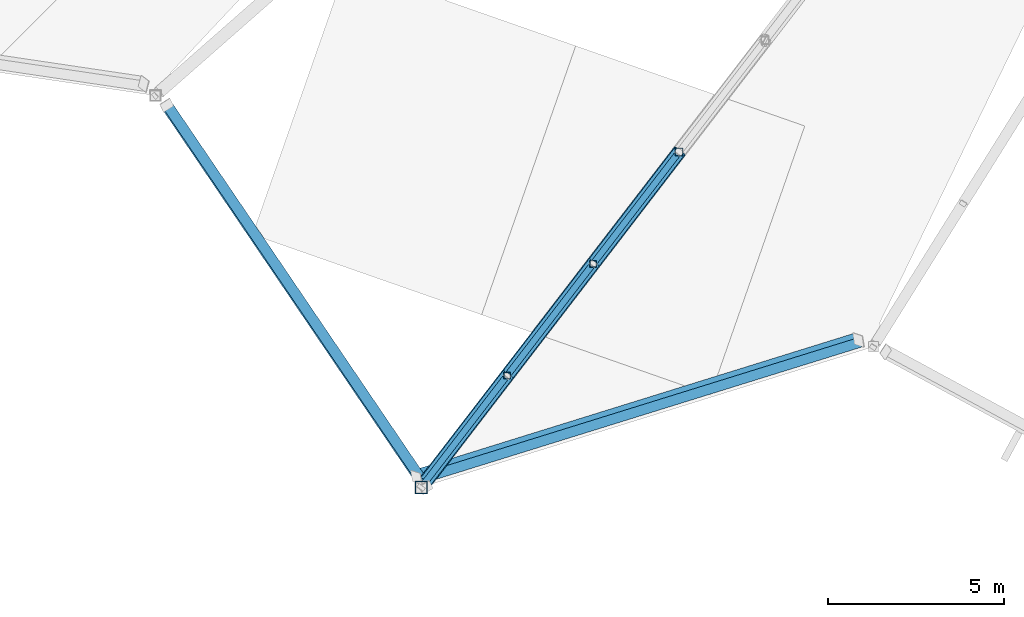
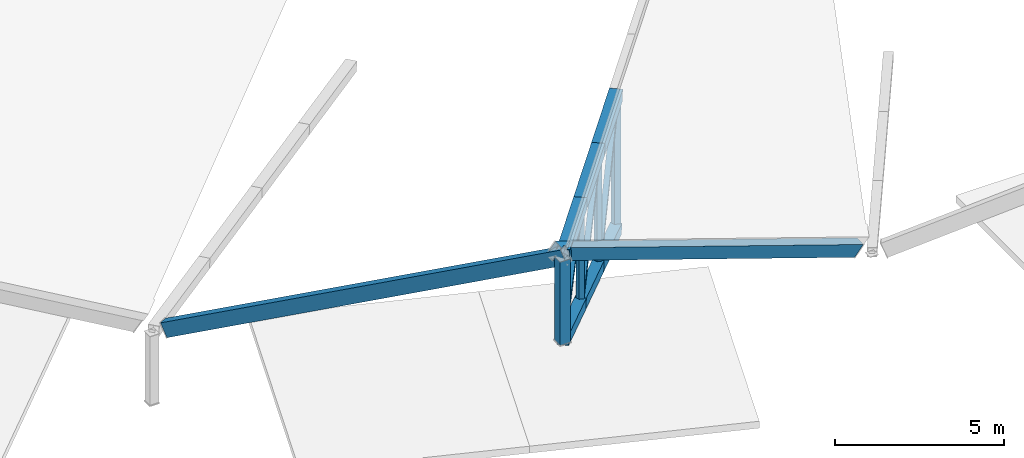
# One storey, part 4 of 188: 13 members, 2 beams.
"""IFC4 building model written with IfcOpenShell, lengths in metres."""

from ifc_helpers import new_model, si_unit, direction, frame, origin, origin_2d, place, context, subcontext, project, spatial, hollow_rectangle, extrude, material, material_profile, profile_set, type_object, element, save


model = new_model("IFC4")

# Units and contexts
model_context = context("Model", 3, precision=1e-05, world=origin(), true_north=direction((0.0, 1.0)))
body_context = subcontext(model_context, "Body", "Model", "MODEL_VIEW")
ifc_project = project(units=[si_unit("LENGTHUNIT", "METRE"), si_unit("AREAUNIT", "SQUARE_METRE"), si_unit("VOLUMEUNIT", "CUBIC_METRE"), si_unit("PLANEANGLEUNIT", "RADIAN"), si_unit("MASSUNIT", "GRAM", prefix="KILO")], contexts=[model_context])

# Site, building, storey
site_placement = place(None, origin())
site = spatial("IfcSite", under=ifc_project, at=site_placement, CompositionType="ELEMENT")
building_placement = place(site_placement, origin())
building = spatial("IfcBuilding", under=site, at=building_placement, Name="Meseta Stadium", CompositionType="ELEMENT")
storey_placement = place(building_placement, frame((0.0, 0.0, 30.0)))
storey = spatial("IfcBuildingStorey", under=building, at=storey_placement, Name="ROOF", CompositionType="ELEMENT", Elevation=30.0)

# Beams
ifc_material_1 = material(Name="Steel S355", Category="steel")
ifc_material_profile_1 = material_profile(ifc_material_1, hollow_rectangle(XDim=0.300048828125, YDim=0.5, WallThickness=0.01611328125, at=origin_2d()), Name="RHS 500x300x16")
ifc_profile_set_1 = profile_set([ifc_material_profile_1], Name="Steel S355")
beam_type = type_object("IfcBeamType", Name="RHS 500x300x16 rim ring beam", PredefinedType="BEAM", material=ifc_profile_set_1)
beam_1_placement = place(storey_placement, frame((-71.531982421875, -91.42919921875, 3.7822265625), z_axis=(0.501180600457, -0.738615159085, 0.450849922365), x_axis=(0.842723607086, 0.534945871086, -0.060413881413)))
element("IfcBeam", 1, at=beam_1_placement, inside=storey, type_object=beam_type, Name="RIM RING BEAM 42", PredefinedType="BEAM", context=body_context, shape_type="SweptSolid", body=[
    extrude(hollow_rectangle(XDim=0.300048828125, YDim=0.5, WallThickness=0.01611328125, at=origin_2d()), origin(), (0.0, 0.0, 1.0), 14.69775390625),
])
beam_2_placement = place(storey_placement, frame((-64.420654296875, -102.00390625, 10.48095703125), z_axis=(0.852363962511, 0.264973906285, -0.450848649107), x_axis=(-0.151219751778, 0.95018326247, 0.272551562817)))
element("IfcBeam", 2, at=beam_2_placement, inside=storey, type_object=beam_type, Name="RIM RING BEAM 43", PredefinedType="BEAM", context=body_context, shape_type="SweptSolid", body=[
    extrude(hollow_rectangle(XDim=0.300048828125, YDim=0.5, WallThickness=0.01611328125, at=origin_2d()), origin(), (0.0, 0.0, 1.0), 14.72265625),
])

# Members
ifc_material_2 = material(Name="Steel S355", Category="steel")
ifc_material_profile_2 = material_profile(ifc_material_2, hollow_rectangle(XDim=0.179931640625, YDim=0.179931640625, WallThickness=0.00634765625, at=origin_2d()), Name="SHS 180x180x6.3")
ifc_profile_set_2 = profile_set([ifc_material_profile_2], Name="Steel S355")
member_type_1 = type_object("IfcMemberType", Name="SHS 180x180x6.3 diagonal", PredefinedType="BRACE", material=ifc_profile_set_2)
member_1_placement = place(storey_placement, frame((-56.966796875, -92.75732421875, 7.893310546875), z_axis=(-0.465940839852, -0.605969818399, -0.644747790184), x_axis=(0.792743963915, -0.609554761836, 0.0)))
element("IfcMember", 3, at=member_1_placement, inside=storey, type_object=member_type_1, Name="ROOF TRUSS RT-42 diagonal", PredefinedType="BRACE", context=body_context, shape_type="SweptSolid", body=[
    extrude(hollow_rectangle(XDim=0.179931640625, YDim=0.179931640625, WallThickness=0.00634765625, at=origin_2d()), origin(), (0.0, 0.0, 1.0), 5.244384765625),
])
member_2_placement = place(storey_placement, frame((-59.410400390625, -95.935302734375, 8.718994140625), z_axis=(-0.501011440504, -0.651580169951, -0.569588288689), x_axis=(0.792743963915, -0.609554761836, 0.0)))
element("IfcMember", 4, at=member_2_placement, inside=storey, type_object=member_type_1, Name="ROOF TRUSS RT-42 diagonal", PredefinedType="BRACE", context=body_context, shape_type="SweptSolid", body=[
    extrude(hollow_rectangle(XDim=0.179931640625, YDim=0.179931640625, WallThickness=0.00634765625, at=origin_2d()), origin(), (0.0, 0.0, 1.0), 4.87744140625),
])
member_3_placement = place(storey_placement, frame((-61.85400390625, -99.11328125, 9.54443359375), z_axis=(-0.535784302245, -0.696819392289, -0.476841604726), x_axis=(0.792750764849, -0.609545916918, 0.0)))
element("IfcMember", 5, at=member_3_placement, inside=storey, type_object=member_type_1, Name="ROOF TRUSS RT-42 diagonal", PredefinedType="BRACE", context=body_context, shape_type="SweptSolid", body=[
    extrude(hollow_rectangle(XDim=0.179931640625, YDim=0.179931640625, WallThickness=0.00634765625, at=origin_2d()), origin(), (0.0, 0.0, 1.0), 4.560302734375),
])
ifc_material_3 = material(Name="Steel S355", Category="steel")
ifc_material_profile_3 = material_profile(ifc_material_3, hollow_rectangle(XDim=0.179931640625, YDim=0.179931640625, WallThickness=0.00634765625, at=origin_2d()), Name="SHS 180x180x6.3")
ifc_profile_set_3 = profile_set([ifc_material_profile_3], Name="Steel S355")
member_type_2 = type_object("IfcMemberType", Name="SHS 180x180x6.3 post", PredefinedType="POST", material=ifc_profile_set_3)
member_4_placement = place(storey_placement, frame((-59.410400390625, -95.935302734375, 4.511962890625), z_axis=(0.0, 0.0, 1.0), x_axis=(1.0, 0.0, 0.0)))
element("IfcMember", 6, at=member_4_placement, inside=storey, type_object=member_type_2, Name="ROOF TRUSS RT-42 post", PredefinedType="POST", context=body_context, shape_type="SweptSolid", body=[
    extrude(hollow_rectangle(XDim=0.179931640625, YDim=0.179931640625, WallThickness=0.00634765625, at=origin_2d()), origin(), (0.0, 0.0, 1.0), 4.20703125),
])
member_5_placement = place(storey_placement, frame((-61.85400390625, -99.11328125, 5.94091796875), z_axis=(0.0, 0.0, 1.0), x_axis=(1.0, 0.0, 0.0)))
element("IfcMember", 7, at=member_5_placement, inside=storey, type_object=member_type_2, Name="ROOF TRUSS RT-42 post", PredefinedType="POST", context=body_context, shape_type="SweptSolid", body=[
    extrude(hollow_rectangle(XDim=0.179931640625, YDim=0.179931640625, WallThickness=0.00634765625, at=origin_2d()), origin(), (0.0, 0.0, 1.0), 3.603515625),
])
ifc_material_4 = material(Name="Steel S355", Category="steel")
ifc_material_profile_4 = material_profile(ifc_material_4, hollow_rectangle(XDim=0.219970703125, YDim=0.219970703125, WallThickness=0.008056640625, at=origin_2d()), Name="SHS 220x220x8")
ifc_profile_set_4 = profile_set([ifc_material_profile_4], Name="Steel S355")
member_type_3 = type_object("IfcMemberType", Name="SHS 220x220x8 post", PredefinedType="POST", material=ifc_profile_set_4)
member_6_placement = place(storey_placement, frame((-56.966796875, -92.75732421875, 3.082763671875), z_axis=(0.0, 0.0, 1.0), x_axis=(1.0, 0.0, 0.0)))
element("IfcMember", 8, at=member_6_placement, inside=storey, type_object=member_type_3, Name="ROOF TRUSS RT-42 post", PredefinedType="POST", context=body_context, shape_type="SweptSolid", body=[
    extrude(hollow_rectangle(XDim=0.219970703125, YDim=0.219970703125, WallThickness=0.008056640625, at=origin_2d()), origin(), (0.0, 0.0, 1.0), 4.810546875),
])
ifc_material_5 = material(Name="Steel S355", Category="steel")
ifc_material_profile_5 = material_profile(ifc_material_5, hollow_rectangle(XDim=0.35009765625, YDim=0.35009765625, WallThickness=0.010009765625, at=origin_2d()), Name="SHS 350x350x10")
ifc_profile_set_5 = profile_set([ifc_material_profile_5], Name="Steel S355")
member_type_4 = type_object("IfcMemberType", Name="SHS 350x350x10 bottom chord", PredefinedType="CHORD", material=ifc_profile_set_5)
for number, where, z_axis, x_axis, name in (
    (9, (-56.966796875, -92.75732421875, 3.082763671875), (-0.574157814272, -0.746709188568, 0.335809755694), (0.792743963915, -0.609554761836, 0.0), "ROOF TRUSS RT-42 bottom chord"),
    (10, (-59.410400390625, -95.935302734375, 4.511962890625), (-0.574168873902, -0.746723571944, 0.335758858922), (0.792743963915, -0.609554761836, 0.0), "ROOF TRUSS RT-42 bottom chord"),
):
    element("IfcMember", number, at=place(storey_placement, frame(where, z_axis=z_axis, x_axis=x_axis)), inside=storey, type_object=member_type_4, Name=name, PredefinedType="CHORD", context=body_context, shape_type="SweptSolid", body=[
        extrude(hollow_rectangle(XDim=0.35009765625, YDim=0.35009765625, WallThickness=0.010009765625, at=origin_2d()), origin(), (0.0, 0.0, 1.0), 4.255859375),
    ])
member_7_placement = place(storey_placement, frame((-61.85400390625, -99.11328125, 5.94091796875), z_axis=(-0.574162848253, -0.746704856627, 0.335810781207), x_axis=(0.79273967261, -0.609560342764, 0.0)))
element("IfcMember", 11, at=member_7_placement, inside=storey, type_object=member_type_4, Name="ROOF TRUSS RT-42 bottom chord", PredefinedType="CHORD", context=body_context, shape_type="SweptSolid", body=[
    extrude(hollow_rectangle(XDim=0.35009765625, YDim=0.35009765625, WallThickness=0.010009765625, at=origin_2d()), origin(), (0.0, 0.0, 1.0), 4.080810546875),
])
ifc_material_6 = material(Name="Steel S355", Category="steel")
ifc_material_profile_6 = material_profile(ifc_material_6, hollow_rectangle(XDim=0.35009765625, YDim=0.35009765625, WallThickness=0.01416015625, at=origin_2d()), Name="SHS 350x350x14.2")
ifc_profile_set_6 = profile_set([ifc_material_profile_6], Name="Steel S355")
member_type_5 = type_object("IfcMemberType", Name="SHS 350x350x14.2 rim post", PredefinedType="POST", material=ifc_profile_set_6)
member_8_placement = place(storey_placement, frame((-64.29736328125, -102.291015625, 7.369873046875), z_axis=(0.0, 0.0, 1.0), x_axis=(1.0, 0.0, 0.0)))
element("IfcMember", 12, at=member_8_placement, inside=storey, type_object=member_type_5, Name="ROOF TRUSS RT-42 post", PredefinedType="POST", context=body_context, shape_type="SweptSolid", body=[
    extrude(hollow_rectangle(XDim=0.35009765625, YDim=0.35009765625, WallThickness=0.01416015625, at=origin_2d()), origin(), (0.0, 0.0, 1.0), 3.0),
])
ifc_material_7 = material(Name="Steel S355", Category="steel")
ifc_material_profile_7 = material_profile(ifc_material_7, hollow_rectangle(XDim=0.39990234375, YDim=0.39990234375, WallThickness=0.010009765625, at=origin_2d()), Name="SHS 400x400x10")
ifc_profile_set_7 = profile_set([ifc_material_profile_7], Name="Steel S355")
member_type_6 = type_object("IfcMemberType", Name="SHS 400x400x10 top chord", PredefinedType="CHORD", material=ifc_profile_set_7)
for number, where, z_axis, x_axis, name in (
    (13, (-56.966796875, -92.75732421875, 7.893310546875), (-0.597022833281, -0.776445820843, 0.201731563808), (0.792743963915, -0.609554761836, 0.0), "ROOF TRUSS RT-42 top chord"),
    (14, (-59.410400390625, -95.935302734375, 8.718994140625), (-0.597030016327, -0.776455162607, 0.201674341613), (0.792743963915, -0.609554761836, 0.0), "ROOF TRUSS RT-42 top chord"),
):
    element("IfcMember", number, at=place(storey_placement, frame(where, z_axis=z_axis, x_axis=x_axis)), inside=storey, type_object=member_type_6, Name=name, PredefinedType="CHORD", context=body_context, shape_type="SweptSolid", body=[
        extrude(hollow_rectangle(XDim=0.39990234375, YDim=0.39990234375, WallThickness=0.010009765625, at=origin_2d()), origin(), (0.0, 0.0, 1.0), 4.093017578125),
    ])
member_9_placement = place(storey_placement, frame((-61.85400390625, -99.11328125, 9.54443359375), z_axis=(-0.596996369668, -0.776469182261, 0.201719963321), x_axis=(0.792765881843, -0.609526255863, 0.0)))
element("IfcMember", 15, at=member_9_placement, inside=storey, type_object=member_type_6, Name="ROOF TRUSS RT-42 top chord", PredefinedType="CHORD", context=body_context, shape_type="SweptSolid", body=[
    extrude(hollow_rectangle(XDim=0.39990234375, YDim=0.39990234375, WallThickness=0.010009765625, at=origin_2d()), origin(), (0.0, 0.0, 1.0), 3.917724609375),
])

save(model, "model.ifc")
